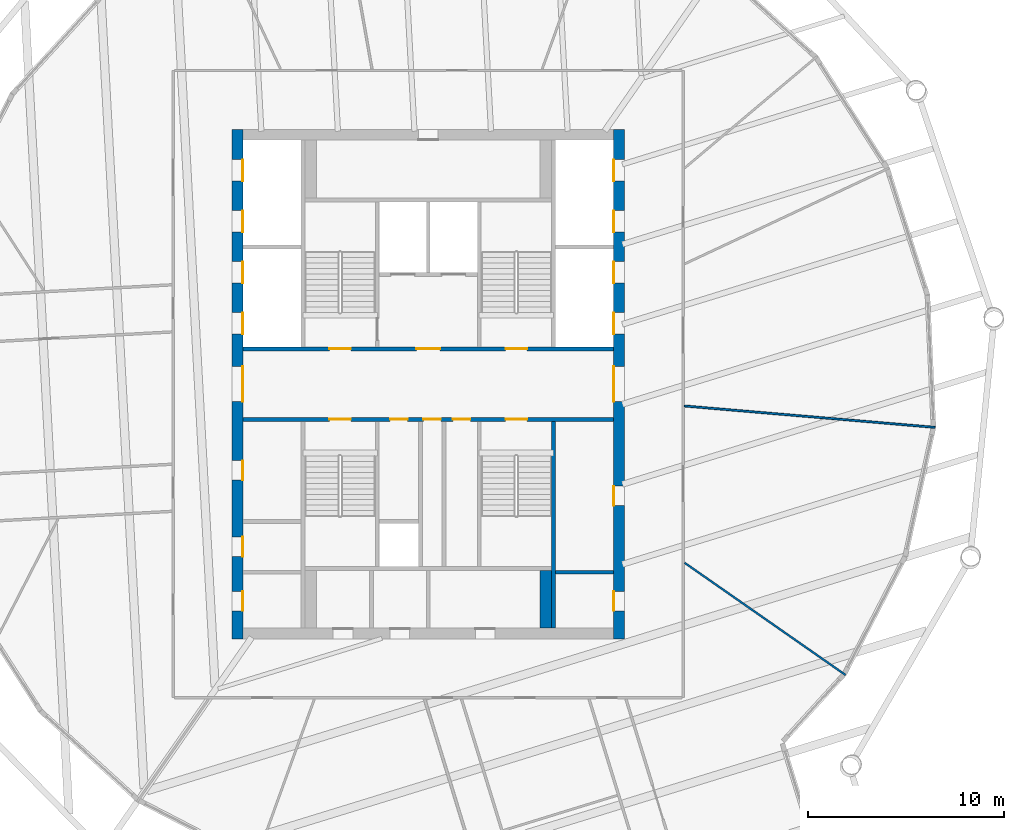
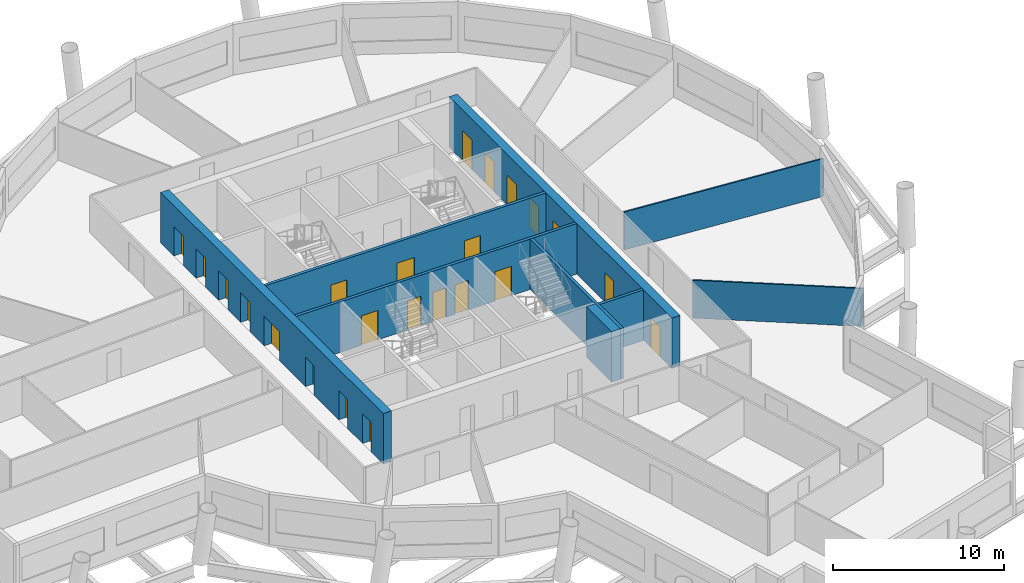
# One storey, part 5 of 11: 23 doors, 9 walls, 23 openings.
"""IFC4 building model written with IfcOpenShell, lengths in metres."""

import ifcopenshell
import ifcopenshell.guid

model = None  # the IFC model being written
_history = None  # IfcOwnerHistory: only IFC2X3 demands one
_inside = {}  # id of a spatial element -> (the spatial element, [elements in it])
_under = {}  # id of a project, library or spatial element -> (it, [spatial elements below it])
_declared = {}  # id of a project -> (the project, [libraries it declares])
_typed = {}  # id of a type object -> (the type object, [elements of that type])
_made_of = {}  # id of a material, layer set ... -> (it, [elements and type objects made of it])


def new_model(schema):
    """Start an empty IFC model of exactly this schema.

    Asked for "IFC4X3", IfcOpenShell would pick the latest addendum, in which some entities
    have other attributes; the version numbers below select the first issue.
    IFC2X3 requires an IfcOwnerHistory on every rooted entity: one is made here for all.
    """
    global model, _history
    if schema == "IFC4X3":
        model = ifcopenshell.file(schema_version=(4, 3, 0, 0))
    else:
        model = ifcopenshell.file(schema=schema)
    _inside.clear()
    _under.clear()
    _declared.clear()
    _typed.clear()
    _made_of.clear()
    _history = None
    if model.schema == "IFC2X3":
        org = make("IfcOrganization", Name="unknown")
        user = make(
            "IfcPersonAndOrganization",
            ThePerson=make("IfcPerson", FamilyName="unknown"),
            TheOrganization=org,
        )
        app = make(
            "IfcApplication",
            ApplicationDeveloper=org,
            Version="unknown",
            ApplicationFullName="unknown",
            ApplicationIdentifier="unknown",
        )
        _history = make(
            "IfcOwnerHistory",
            OwningUser=user,
            OwningApplication=app,
            ChangeAction="ADDED",
            CreationDate=0,
        )
    return model


def make(cls, **values):
    """One entity of the class cls with the attributes given. An attribute that is None is left unset."""
    return model.create_entity(
        cls, **{name: value for name, value in values.items() if value is not None}
    )


def rooted(cls, **values):
    """An entity with a GlobalId (a new one), such as an element, a storey or a relation."""
    return make(cls, GlobalId=ifcopenshell.guid.new(), OwnerHistory=_history, **values)


def si_unit(unit_type, name, prefix=None):
    """IfcSIUnit, for example si_unit("LENGTHUNIT", "METRE", prefix="MILLI")."""
    return make("IfcSIUnit", UnitType=unit_type, Prefix=prefix, Name=name)


def assignment(units):
    """IfcUnitAssignment: the units of a project."""
    return None if units is None else make("IfcUnitAssignment", Units=units)


def point(xyz):
    """IfcCartesianPoint."""
    return None if xyz is None else make("IfcCartesianPoint", Coordinates=xyz)


def direction(xyz):
    """IfcDirection."""
    return None if xyz is None else make("IfcDirection", DirectionRatios=xyz)


def frame(location, z_axis=None, x_axis=None):
    """IfcAxis2Placement3D, a coordinate frame: its origin and axes. An axis left out is left unset."""
    return make(
        "IfcAxis2Placement3D",
        Location=point(location),
        Axis=direction(z_axis),
        RefDirection=direction(x_axis),
    )


def frame_2d(location, x_axis=None):
    """IfcAxis2Placement2D, a coordinate frame in the plane: its origin and x axis."""
    return make(
        "IfcAxis2Placement2D", Location=point(location), RefDirection=direction(x_axis)
    )


def origin():
    """The frame at (0, 0, 0) with its axes left unset."""
    return frame((0.0, 0.0, 0.0))


def place(relative_to, where):
    """IfcLocalPlacement: puts the frame where relative to a parent placement (None: the world)."""
    return make(
        "IfcLocalPlacement", PlacementRelTo=relative_to, RelativePlacement=where
    )


def context(
    kind, dimensions, precision=None, world=None, true_north=None, identifier=None
):
    """IfcGeometricRepresentationContext, for example the 3D "Model" context."""
    return make(
        "IfcGeometricRepresentationContext",
        ContextIdentifier=identifier,
        ContextType=kind,
        CoordinateSpaceDimension=dimensions,
        Precision=precision,
        WorldCoordinateSystem=world,
        TrueNorth=true_north,
    )


def subcontext(parent, identifier, kind, view, scale=None):
    """IfcGeometricRepresentationSubContext, for example "Body" below "Model"."""
    return make(
        "IfcGeometricRepresentationSubContext",
        ContextIdentifier=identifier,
        ContextType=kind,
        ParentContext=parent,
        TargetScale=scale,
        TargetView=view,
    )


def project(units=None, contexts=None):
    """IfcProject with its units and contexts."""
    return rooted(
        "IfcProject",
        Name="project",
        RepresentationContexts=contexts,
        UnitsInContext=assignment(units),
    )


def spatial(cls, under=None, at=None, **own):
    """A site, building, storey or space (cls), placed at a placement, below another one or the project."""
    s = rooted(cls, ObjectPlacement=at, **own)
    if under is not None:
        _under.setdefault(under.id(), (under, []))[1].append(s)
    return s


def profile(cls, at=None, kind="AREA", **sizes):
    """A parametric profile (cls). Its sizes go by their IFC names, for example OverallWidth=200.0."""
    return make(cls, ProfileType=kind, Position=at, **sizes)


def rectangle(**sizes):
    """IfcRectangleProfileDef."""
    return profile("IfcRectangleProfileDef", **sizes)


def extrude(swept, where, along, depth):
    """IfcExtrudedAreaSolid: the profile swept, set in the frame where, extruded along a direction by depth."""
    return make(
        "IfcExtrudedAreaSolid",
        SweptArea=swept,
        Position=where,
        ExtrudedDirection=direction(along),
        Depth=depth,
    )


def shape(context_of_items, identifier, shape_type, items):
    """IfcShapeRepresentation: the items that make up one representation, for example the "Body"."""
    return make(
        "IfcShapeRepresentation",
        ContextOfItems=context_of_items,
        RepresentationIdentifier=identifier,
        RepresentationType=shape_type,
        Items=items,
    )


def material(Name=None, Category=None):
    """IfcMaterial."""
    return make("IfcMaterial", Name=Name, Category=Category)


def layer(
    of_material, thickness, ventilated=None, Name=None, Category=None, Priority=None
):
    """IfcMaterialLayer: one layer of a wall or slab, of a material (None: an air gap)."""
    return make(
        "IfcMaterialLayer",
        Material=of_material,
        LayerThickness=thickness,
        IsVentilated=ventilated,
        Name=Name,
        Category=Category,
        Priority=Priority,
    )


def layer_set(layers, Name=None):
    """IfcMaterialLayerSet."""
    return make("IfcMaterialLayerSet", MaterialLayers=layers, LayerSetName=Name)


def made_of(thing, what):
    """Note that an element or type object is made of a material, layer set ...; save() writes the relation."""
    if what is not None:
        _made_of.setdefault(what.id(), (what, []))[1].append(thing)
    return thing


def type_object(cls, material=None, **own):
    """A type object (cls), such as IfcWallType, which elements share."""
    return made_of(rooted(cls, **own), material)


def element(
    cls,
    number,
    at=None,
    inside=None,
    cuts=None,
    type_object=None,
    material=None,
    context=None,
    identifier="Body",
    shape_type=None,
    held_by="IfcProductDefinitionShape",
    body=None,
    shapes=None,
    **own,
):
    """One element of the class cls, such as IfcWall. Its Tag is "e" and its number.

    at: its placement. inside: the storey or other place that contains it. cuts: it is an
    opening in that element (IfcRelVoidsElement). A single representation is given by context,
    identifier, shape_type and body (its items); several are given by shapes. held_by: the class
    of the entity that holds the representations. save() writes the other relations.
    """
    e = rooted(cls, Tag="e%d" % number, ObjectPlacement=at, **own)
    if body is not None:
        shapes = [shape(context, identifier, shape_type, body)]
    if shapes is not None:
        e.Representation = make(held_by, Representations=shapes)
    if inside is not None:
        _inside.setdefault(inside.id(), (inside, []))[1].append(e)
    if cuts is not None:
        rooted(
            "IfcRelVoidsElement", RelatingBuildingElement=cuts, RelatedOpeningElement=e
        )
    if type_object is not None:
        _typed.setdefault(type_object.id(), (type_object, []))[1].append(e)
    return made_of(e, material)


def fill(opening, filler):
    """IfcRelFillsElement: the door or window that sits in an opening."""
    return rooted(
        "IfcRelFillsElement",
        RelatingOpeningElement=opening,
        RelatedBuildingElement=filler,
    )


def aggregate(whole, parts):
    """IfcRelAggregates: a whole, such as a stair, and the parts it consists of."""
    return rooted("IfcRelAggregates", RelatingObject=whole, RelatedObjects=parts)


def save(model, path):
    """Write the relations noted so far, then the file.

    IfcRelAggregates (storeys below a building ...), IfcRelContainedInSpatialStructure (elements
    in a storey), IfcRelDefinesByType, IfcRelAssociatesMaterial and IfcRelDeclares: one each for
    every whole, place, type object, material and project.
    """
    for whole, parts in _under.values():
        aggregate(whole, parts)
    for where, things in _inside.values():
        rooted(
            "IfcRelContainedInSpatialStructure",
            RelatedElements=things,
            RelatingStructure=where,
        )
    for kind, things in _typed.values():
        rooted("IfcRelDefinesByType", RelatedObjects=things, RelatingType=kind)
    for what, things in _made_of.values():
        rooted("IfcRelAssociatesMaterial", RelatedObjects=things, RelatingMaterial=what)
    for by, libraries in _declared.values():
        rooted("IfcRelDeclares", RelatingContext=by, RelatedDefinitions=libraries)
    model.write(path)


model = new_model("IFC4")

# Units and contexts
model_context = context("Model", 3, precision=1e-05, world=origin(), true_north=direction((0.0, 1.0)))
body_context = subcontext(model_context, "Body", "Model", "MODEL_VIEW")
ifc_project = project(units=[si_unit("LENGTHUNIT", "METRE"), si_unit("AREAUNIT", "SQUARE_METRE"), si_unit("VOLUMEUNIT", "CUBIC_METRE"), si_unit("PLANEANGLEUNIT", "RADIAN"), si_unit("MASSUNIT", "GRAM", prefix="KILO")], contexts=[model_context])

# Site, building, storey
site_placement = place(None, origin())
site = spatial("IfcSite", under=ifc_project, at=site_placement, CompositionType="ELEMENT")
building_placement = place(site_placement, origin())
building = spatial("IfcBuilding", under=site, at=building_placement, Name="Tarsis Ring Headquarters", CompositionType="ELEMENT")
storey_placement = place(building_placement, frame((0.0, 0.0, 298.10009765625)))
storey = spatial("IfcBuildingStorey", under=building, at=storey_placement, Name="L70", CompositionType="ELEMENT", Elevation=298.10009765625)

# Wall
ifc_material_1 = material(Name="Blockwork", Category="masonry")
ifc_layer_1 = layer(ifc_material_1, 0.199951171875)
ifc_layer_set_1 = layer_set([ifc_layer_1], Name="Core blockwork wall 200")
wall_type_1 = type_object("IfcWallType", Name="Core blockwork wall 200", PredefinedType="PARTITIONING", material=ifc_layer_set_1)
wall_1_placement = place(storey_placement, frame((6.5, -9.60009765625, 0.0), z_axis=(0.0, 0.0, 1.0), x_axis=(1.0, 0.0, 0.0)))
element("IfcWall", 1, at=wall_1_placement, inside=storey, type_object=wall_type_1, Name="Core partition ED1", PredefinedType="PARTITIONING", context=body_context, shape_type="SweptSolid", body=[
    extrude(rectangle(XDim=2.949951171875, YDim=0.199951171875, at=frame_2d((1.47509765625, 0.0))), origin(), (0.0, 0.0, 1.0), 3.599853515625),
])

# Wall, openings, doors
ifc_material_2 = material(Name="Concrete C50/60", Category="concrete")
ifc_layer_2 = layer(ifc_material_2, 0.550048828125)
ifc_layer_set_2 = layer_set([ifc_layer_2], Name="Core wall 550 C50/60")
wall_type_2 = type_object("IfcWallType", Name="Core wall 550 C50/60", PredefinedType="SHEAR", material=ifc_layer_set_2)
wall_2_placement = place(storey_placement, frame((-9.72509765625, -13.0, 0.0), z_axis=(0.0, 0.0, 1.0), x_axis=(0.0, 1.0, 0.0)))
wall_2 = element("IfcWall", 2, at=wall_2_placement, inside=storey, type_object=wall_type_2, Name="Core wall OW", PredefinedType="SHEAR", context=body_context, shape_type="SweptSolid", body=[
    extrude(rectangle(XDim=26.0, YDim=0.550048828125, at=frame_2d((13.0, 0.0))), origin(), (0.0, 0.0, 1.0), 3.599853515625),
])
opening_1_placement = place(wall_2_placement, frame((1.425048828125, 0.0, 0.0)))
opening_1 = element("IfcOpeningElement", 3, at=opening_1_placement, cuts=wall_2, Name="Opening L70-C01", PredefinedType="OPENING", context=body_context, shape_type="SweptSolid", body=[
    extrude(rectangle(XDim=1.0, YDim=2.10009765625, at=frame_2d((0.5, 1.050048828125))), frame((0.0, 0.284912109375, 0.0), z_axis=(0.0, -1.0, 0.0), x_axis=(1.0, 0.0, 0.0)), (0.0, 0.0, 1.0), 0.570068359375),
])
opening_2_placement = place(wall_2_placement, frame((4.199951171875, 0.0, 0.0)))
opening_2 = element("IfcOpeningElement", 4, at=opening_2_placement, cuts=wall_2, Name="Opening L70-C02", PredefinedType="OPENING", context=body_context, shape_type="SweptSolid", body=[
    extrude(rectangle(XDim=1.0, YDim=2.10009765625, at=frame_2d((0.5, 1.050048828125))), frame((0.0, 0.284912109375, 0.0), z_axis=(0.0, -1.0, 0.0), x_axis=(1.0, 0.0, 0.0)), (0.0, 0.0, 1.0), 0.570068359375),
])
opening_3_placement = place(wall_2_placement, frame((8.10009765625, 0.0, 0.0)))
opening_3 = element("IfcOpeningElement", 5, at=opening_3_placement, cuts=wall_2, Name="Opening L70-C03", PredefinedType="OPENING", context=body_context, shape_type="SweptSolid", body=[
    extrude(rectangle(XDim=1.0, YDim=2.10009765625, at=frame_2d((0.5, 1.050048828125))), frame((0.0, 0.284912109375, 0.0), z_axis=(0.0, -1.0, 0.0), x_axis=(1.0, 0.0, 0.0)), (0.0, 0.0, 1.0), 0.570068359375),
])
opening_4_placement = place(wall_2_placement, frame((12.10009765625, 0.0, 0.0)))
opening_4 = element("IfcOpeningElement", 6, at=opening_4_placement, cuts=wall_2, Name="Opening L70-C04", PredefinedType="OPENING", context=body_context, shape_type="SweptSolid", body=[
    extrude(rectangle(XDim=1.800048828125, YDim=2.10009765625, at=frame_2d((0.89990234375, 1.050048828125))), frame((0.0, 0.284912109375, 0.0), z_axis=(0.0, -1.0, 0.0), x_axis=(1.0, 0.0, 0.0)), (0.0, 0.0, 1.0), 0.570068359375),
])
opening_5_placement = place(wall_2_placement, frame((15.550048828125, 0.0, 0.0)))
opening_5 = element("IfcOpeningElement", 7, at=opening_5_placement, cuts=wall_2, Name="Opening LD-HR1", PredefinedType="OPENING", context=body_context, shape_type="SweptSolid", body=[
    extrude(rectangle(XDim=1.10009765625, YDim=2.10009765625, at=frame_2d((0.550048828125, 1.050048828125))), frame((0.0, 0.284912109375, 0.0), z_axis=(0.0, -1.0, 0.0), x_axis=(1.0, 0.0, 0.0)), (0.0, 0.0, 1.0), 0.570068359375),
])
opening_6_placement = place(wall_2_placement, frame((18.14990234375, 0.0, 0.0)))
opening_6 = element("IfcOpeningElement", 8, at=opening_6_placement, cuts=wall_2, Name="Opening LD-HR2", PredefinedType="OPENING", context=body_context, shape_type="SweptSolid", body=[
    extrude(rectangle(XDim=1.10009765625, YDim=2.10009765625, at=frame_2d((0.550048828125, 1.050048828125))), frame((0.0, 0.284912109375, 0.0), z_axis=(0.0, -1.0, 0.0), x_axis=(1.0, 0.0, 0.0)), (0.0, 0.0, 1.0), 0.570068359375),
])
opening_7_placement = place(wall_2_placement, frame((20.75, 0.0, 0.0)))
opening_7 = element("IfcOpeningElement", 9, at=opening_7_placement, cuts=wall_2, Name="Opening LD-HR3", PredefinedType="OPENING", context=body_context, shape_type="SweptSolid", body=[
    extrude(rectangle(XDim=1.10009765625, YDim=2.10009765625, at=frame_2d((0.550048828125, 1.050048828125))), frame((0.0, 0.284912109375, 0.0), z_axis=(0.0, -1.0, 0.0), x_axis=(1.0, 0.0, 0.0)), (0.0, 0.0, 1.0), 0.570068359375),
])
opening_8_placement = place(wall_2_placement, frame((23.35009765625, 0.0, 0.0)))
opening_8 = element("IfcOpeningElement", 10, at=opening_8_placement, cuts=wall_2, Name="Opening LD-HR4", PredefinedType="OPENING", context=body_context, shape_type="SweptSolid", body=[
    extrude(rectangle(XDim=1.10009765625, YDim=2.10009765625, at=frame_2d((0.550048828125, 1.050048828125))), frame((0.0, 0.284912109375, 0.0), z_axis=(0.0, -1.0, 0.0), x_axis=(1.0, 0.0, 0.0)), (0.0, 0.0, 1.0), 0.570068359375),
])
ifc_material_3 = material(Name="Steel S355", Category="steel")
door_type_1 = type_object("IfcDoorType", Name="Core entry door 1800x2100", OperationType="DOUBLE_DOOR_SINGLE_SWING", PredefinedType="DOOR", material=ifc_material_3)
door_1_placement = place(opening_4_placement, origin())
door_1 = element("IfcDoor", 11, at=door_1_placement, inside=storey, type_object=door_type_1, Name="Core entry door L70", OperationType="DOUBLE_DOOR_SINGLE_SWING", OverallHeight=2.10009765625, OverallWidth=1.800048828125, PredefinedType="DOOR", context=body_context, shape_type="SweptSolid", body=[
    extrude(rectangle(XDim=1.800048828125, YDim=2.10009765625, at=frame_2d((0.89990234375, 1.050048828125))), frame((0.0, -0.22509765625, 0.0), z_axis=(0.0, -1.0, 0.0), x_axis=(1.0, 0.0, 0.0)), (0.0, 0.0, 1.0), 0.050048828125),
])
fill(opening_4, door_1)
door_type_2 = type_object("IfcDoorType", Name="Core room door 1000x2100", OperationType="SINGLE_SWING_LEFT", PredefinedType="DOOR", material=ifc_material_3)
door_2_placement = place(opening_1_placement, origin())
door_2 = element("IfcDoor", 12, at=door_2_placement, inside=storey, type_object=door_type_2, Name="Core room door L70", OperationType="SINGLE_SWING_LEFT", OverallHeight=2.10009765625, OverallWidth=1.0, PredefinedType="DOOR", context=body_context, shape_type="SweptSolid", body=[
    extrude(rectangle(XDim=1.0, YDim=2.10009765625, at=frame_2d((0.5, 1.050048828125))), frame((0.0, -0.22509765625, 0.0), z_axis=(0.0, -1.0, 0.0), x_axis=(1.0, 0.0, 0.0)), (0.0, 0.0, 1.0), 0.050048828125),
])
fill(opening_1, door_2)
door_3_placement = place(opening_2_placement, origin())
door_3 = element("IfcDoor", 13, at=door_3_placement, inside=storey, type_object=door_type_2, Name="Core room door L70", OperationType="SINGLE_SWING_LEFT", OverallHeight=2.10009765625, OverallWidth=1.0, PredefinedType="DOOR", context=body_context, shape_type="SweptSolid", body=[
    extrude(rectangle(XDim=1.0, YDim=2.10009765625, at=frame_2d((0.5, 1.050048828125))), frame((0.0, -0.22509765625, 0.0), z_axis=(0.0, -1.0, 0.0), x_axis=(1.0, 0.0, 0.0)), (0.0, 0.0, 1.0), 0.050048828125),
])
fill(opening_2, door_3)
door_4_placement = place(opening_3_placement, origin())
door_4 = element("IfcDoor", 14, at=door_4_placement, inside=storey, type_object=door_type_2, Name="Core room door L70", OperationType="SINGLE_SWING_LEFT", OverallHeight=2.10009765625, OverallWidth=1.0, PredefinedType="DOOR", context=body_context, shape_type="SweptSolid", body=[
    extrude(rectangle(XDim=1.0, YDim=2.10009765625, at=frame_2d((0.5, 1.050048828125))), frame((0.0, -0.22509765625, 0.0), z_axis=(0.0, -1.0, 0.0), x_axis=(1.0, 0.0, 0.0)), (0.0, 0.0, 1.0), 0.050048828125),
])
fill(opening_3, door_4)
door_type_3 = type_object("IfcDoorType", Name="Landing door 1100x2100", OperationType="SLIDING_TO_LEFT", PredefinedType="DOOR", material=ifc_material_3)
door_5_placement = place(opening_5_placement, origin())
door_5 = element("IfcDoor", 15, at=door_5_placement, inside=storey, type_object=door_type_3, Name="Landing door HR1 L70", OperationType="SLIDING_TO_LEFT", OverallHeight=2.10009765625, OverallWidth=1.10009765625, PredefinedType="DOOR", context=body_context, shape_type="SweptSolid", body=[
    extrude(rectangle(XDim=1.10009765625, YDim=2.10009765625, at=frame_2d((0.550048828125, 1.050048828125))), frame((0.0, -0.22509765625, 0.0), z_axis=(0.0, -1.0, 0.0), x_axis=(1.0, 0.0, 0.0)), (0.0, 0.0, 1.0), 0.050048828125),
])
fill(opening_5, door_5)
door_6_placement = place(opening_6_placement, origin())
door_6 = element("IfcDoor", 16, at=door_6_placement, inside=storey, type_object=door_type_3, Name="Landing door HR2 L70", OperationType="SLIDING_TO_LEFT", OverallHeight=2.10009765625, OverallWidth=1.10009765625, PredefinedType="DOOR", context=body_context, shape_type="SweptSolid", body=[
    extrude(rectangle(XDim=1.10009765625, YDim=2.10009765625, at=frame_2d((0.550048828125, 1.050048828125))), frame((0.0, -0.22509765625, 0.0), z_axis=(0.0, -1.0, 0.0), x_axis=(1.0, 0.0, 0.0)), (0.0, 0.0, 1.0), 0.050048828125),
])
fill(opening_6, door_6)
door_7_placement = place(opening_7_placement, origin())
door_7 = element("IfcDoor", 17, at=door_7_placement, inside=storey, type_object=door_type_3, Name="Landing door HR3 L70", OperationType="SLIDING_TO_LEFT", OverallHeight=2.10009765625, OverallWidth=1.10009765625, PredefinedType="DOOR", context=body_context, shape_type="SweptSolid", body=[
    extrude(rectangle(XDim=1.10009765625, YDim=2.10009765625, at=frame_2d((0.550048828125, 1.050048828125))), frame((0.0, -0.22509765625, 0.0), z_axis=(0.0, -1.0, 0.0), x_axis=(1.0, 0.0, 0.0)), (0.0, 0.0, 1.0), 0.050048828125),
])
fill(opening_7, door_7)
door_8_placement = place(opening_8_placement, origin())
door_8 = element("IfcDoor", 18, at=door_8_placement, inside=storey, type_object=door_type_3, Name="Landing door HR4 L70", OperationType="SLIDING_TO_LEFT", OverallHeight=2.10009765625, OverallWidth=1.10009765625, PredefinedType="DOOR", context=body_context, shape_type="SweptSolid", body=[
    extrude(rectangle(XDim=1.10009765625, YDim=2.10009765625, at=frame_2d((0.550048828125, 1.050048828125))), frame((0.0, -0.22509765625, 0.0), z_axis=(0.0, -1.0, 0.0), x_axis=(1.0, 0.0, 0.0)), (0.0, 0.0, 1.0), 0.050048828125),
])
fill(opening_8, door_8)

wall_3_placement = place(storey_placement, frame((9.72509765625, -13.0, 0.0), z_axis=(0.0, 0.0, 1.0), x_axis=(0.0, 1.0, 0.0)))
wall_3 = element("IfcWall", 19, at=wall_3_placement, inside=storey, type_object=wall_type_2, Name="Core wall OE", PredefinedType="SHEAR", context=body_context, shape_type="SweptSolid", body=[
    extrude(rectangle(XDim=26.0, YDim=0.550048828125, at=frame_2d((13.0, 0.0))), origin(), (0.0, 0.0, 1.0), 3.599853515625),
])
opening_9_placement = place(wall_3_placement, frame((1.425048828125, 0.0, 0.0)))
opening_9 = element("IfcOpeningElement", 20, at=opening_9_placement, cuts=wall_3, Name="Opening L70-C09", PredefinedType="OPENING", context=body_context, shape_type="SweptSolid", body=[
    extrude(rectangle(XDim=1.0, YDim=2.10009765625, at=frame_2d((0.5, 1.050048828125))), frame((0.0, 0.284912109375, 0.0), z_axis=(0.0, -1.0, 0.0), x_axis=(1.0, 0.0, 0.0)), (0.0, 0.0, 1.0), 0.570068359375),
])
opening_10_placement = place(wall_3_placement, frame((6.800048828125, 0.0, 0.0)))
opening_10 = element("IfcOpeningElement", 21, at=opening_10_placement, cuts=wall_3, Name="Opening L70-C10", PredefinedType="OPENING", context=body_context, shape_type="SweptSolid", body=[
    extrude(rectangle(XDim=1.0, YDim=2.10009765625, at=frame_2d((0.5, 1.050048828125))), frame((0.0, 0.284912109375, 0.0), z_axis=(0.0, -1.0, 0.0), x_axis=(1.0, 0.0, 0.0)), (0.0, 0.0, 1.0), 0.570068359375),
])
opening_11_placement = place(wall_3_placement, frame((12.10009765625, 0.0, 0.0)))
opening_11 = element("IfcOpeningElement", 22, at=opening_11_placement, cuts=wall_3, Name="Opening L70-C11", PredefinedType="OPENING", context=body_context, shape_type="SweptSolid", body=[
    extrude(rectangle(XDim=1.800048828125, YDim=2.10009765625, at=frame_2d((0.89990234375, 1.050048828125))), frame((0.0, 0.284912109375, 0.0), z_axis=(0.0, -1.0, 0.0), x_axis=(1.0, 0.0, 0.0)), (0.0, 0.0, 1.0), 0.570068359375),
])
opening_12_placement = place(wall_3_placement, frame((15.550048828125, 0.0, 0.0)))
opening_12 = element("IfcOpeningElement", 23, at=opening_12_placement, cuts=wall_3, Name="Opening LD-HR5", PredefinedType="OPENING", context=body_context, shape_type="SweptSolid", body=[
    extrude(rectangle(XDim=1.10009765625, YDim=2.10009765625, at=frame_2d((0.550048828125, 1.050048828125))), frame((0.0, 0.284912109375, 0.0), z_axis=(0.0, -1.0, 0.0), x_axis=(1.0, 0.0, 0.0)), (0.0, 0.0, 1.0), 0.570068359375),
])
opening_13_placement = place(wall_3_placement, frame((18.14990234375, 0.0, 0.0)))
opening_13 = element("IfcOpeningElement", 24, at=opening_13_placement, cuts=wall_3, Name="Opening LD-HR6", PredefinedType="OPENING", context=body_context, shape_type="SweptSolid", body=[
    extrude(rectangle(XDim=1.10009765625, YDim=2.10009765625, at=frame_2d((0.550048828125, 1.050048828125))), frame((0.0, 0.284912109375, 0.0), z_axis=(0.0, -1.0, 0.0), x_axis=(1.0, 0.0, 0.0)), (0.0, 0.0, 1.0), 0.570068359375),
])
opening_14_placement = place(wall_3_placement, frame((20.75, 0.0, 0.0)))
opening_14 = element("IfcOpeningElement", 25, at=opening_14_placement, cuts=wall_3, Name="Opening LD-HR7", PredefinedType="OPENING", context=body_context, shape_type="SweptSolid", body=[
    extrude(rectangle(XDim=1.10009765625, YDim=2.10009765625, at=frame_2d((0.550048828125, 1.050048828125))), frame((0.0, 0.284912109375, 0.0), z_axis=(0.0, -1.0, 0.0), x_axis=(1.0, 0.0, 0.0)), (0.0, 0.0, 1.0), 0.570068359375),
])
opening_15_placement = place(wall_3_placement, frame((23.35009765625, 0.0, 0.0)))
opening_15 = element("IfcOpeningElement", 26, at=opening_15_placement, cuts=wall_3, Name="Opening LD-HR8", PredefinedType="OPENING", context=body_context, shape_type="SweptSolid", body=[
    extrude(rectangle(XDim=1.10009765625, YDim=2.10009765625, at=frame_2d((0.550048828125, 1.050048828125))), frame((0.0, 0.284912109375, 0.0), z_axis=(0.0, -1.0, 0.0), x_axis=(1.0, 0.0, 0.0)), (0.0, 0.0, 1.0), 0.570068359375),
])
door_9_placement = place(opening_11_placement, origin())
door_9 = element("IfcDoor", 27, at=door_9_placement, inside=storey, type_object=door_type_1, Name="Core entry door L70", OperationType="DOUBLE_DOOR_SINGLE_SWING", OverallHeight=2.10009765625, OverallWidth=1.800048828125, PredefinedType="DOOR", context=body_context, shape_type="SweptSolid", body=[
    extrude(rectangle(XDim=1.800048828125, YDim=2.10009765625, at=frame_2d((0.89990234375, 1.050048828125))), frame((0.0, 0.27490234375, 0.0), z_axis=(0.0, -1.0, 0.0), x_axis=(1.0, 0.0, 0.0)), (0.0, 0.0, 1.0), 0.050048828125),
])
fill(opening_11, door_9)
door_10_placement = place(opening_9_placement, origin())
door_10 = element("IfcDoor", 28, at=door_10_placement, inside=storey, type_object=door_type_2, Name="Core room door L70", OperationType="SINGLE_SWING_LEFT", OverallHeight=2.10009765625, OverallWidth=1.0, PredefinedType="DOOR", context=body_context, shape_type="SweptSolid", body=[
    extrude(rectangle(XDim=1.0, YDim=2.10009765625, at=frame_2d((0.5, 1.050048828125))), frame((0.0, 0.27490234375, 0.0), z_axis=(0.0, -1.0, 0.0), x_axis=(1.0, 0.0, 0.0)), (0.0, 0.0, 1.0), 0.050048828125),
])
fill(opening_9, door_10)
door_11_placement = place(opening_10_placement, origin())
door_11 = element("IfcDoor", 29, at=door_11_placement, inside=storey, type_object=door_type_2, Name="Core room door L70", OperationType="SINGLE_SWING_LEFT", OverallHeight=2.10009765625, OverallWidth=1.0, PredefinedType="DOOR", context=body_context, shape_type="SweptSolid", body=[
    extrude(rectangle(XDim=1.0, YDim=2.10009765625, at=frame_2d((0.5, 1.050048828125))), frame((0.0, 0.27490234375, 0.0), z_axis=(0.0, -1.0, 0.0), x_axis=(1.0, 0.0, 0.0)), (0.0, 0.0, 1.0), 0.050048828125),
])
fill(opening_10, door_11)
door_12_placement = place(opening_12_placement, origin())
door_12 = element("IfcDoor", 30, at=door_12_placement, inside=storey, type_object=door_type_3, Name="Landing door HR5 L70", OperationType="SLIDING_TO_LEFT", OverallHeight=2.10009765625, OverallWidth=1.10009765625, PredefinedType="DOOR", context=body_context, shape_type="SweptSolid", body=[
    extrude(rectangle(XDim=1.10009765625, YDim=2.10009765625, at=frame_2d((0.550048828125, 1.050048828125))), frame((0.0, 0.27490234375, 0.0), z_axis=(0.0, -1.0, 0.0), x_axis=(1.0, 0.0, 0.0)), (0.0, 0.0, 1.0), 0.050048828125),
])
fill(opening_12, door_12)
door_13_placement = place(opening_13_placement, origin())
door_13 = element("IfcDoor", 31, at=door_13_placement, inside=storey, type_object=door_type_3, Name="Landing door HR6 L70", OperationType="SLIDING_TO_LEFT", OverallHeight=2.10009765625, OverallWidth=1.10009765625, PredefinedType="DOOR", context=body_context, shape_type="SweptSolid", body=[
    extrude(rectangle(XDim=1.10009765625, YDim=2.10009765625, at=frame_2d((0.550048828125, 1.050048828125))), frame((0.0, 0.27490234375, 0.0), z_axis=(0.0, -1.0, 0.0), x_axis=(1.0, 0.0, 0.0)), (0.0, 0.0, 1.0), 0.050048828125),
])
fill(opening_13, door_13)
door_14_placement = place(opening_14_placement, origin())
door_14 = element("IfcDoor", 32, at=door_14_placement, inside=storey, type_object=door_type_3, Name="Landing door HR7 L70", OperationType="SLIDING_TO_LEFT", OverallHeight=2.10009765625, OverallWidth=1.10009765625, PredefinedType="DOOR", context=body_context, shape_type="SweptSolid", body=[
    extrude(rectangle(XDim=1.10009765625, YDim=2.10009765625, at=frame_2d((0.550048828125, 1.050048828125))), frame((0.0, 0.27490234375, 0.0), z_axis=(0.0, -1.0, 0.0), x_axis=(1.0, 0.0, 0.0)), (0.0, 0.0, 1.0), 0.050048828125),
])
fill(opening_14, door_14)
door_15_placement = place(opening_15_placement, origin())
door_15 = element("IfcDoor", 33, at=door_15_placement, inside=storey, type_object=door_type_3, Name="Landing door HR8 L70", OperationType="SLIDING_TO_LEFT", OverallHeight=2.10009765625, OverallWidth=1.10009765625, PredefinedType="DOOR", context=body_context, shape_type="SweptSolid", body=[
    extrude(rectangle(XDim=1.10009765625, YDim=2.10009765625, at=frame_2d((0.550048828125, 1.050048828125))), frame((0.0, 0.27490234375, 0.0), z_axis=(0.0, -1.0, 0.0), x_axis=(1.0, 0.0, 0.0)), (0.0, 0.0, 1.0), 0.050048828125),
])
fill(opening_15, door_15)

# Walls
ifc_material_4 = material(Name="Gypsum board on steel studs", Category="steel")
ifc_layer_3 = layer(ifc_material_4, 0.10009765625)
ifc_layer_set_3 = layer_set([ifc_layer_3], Name="FL partition 100 unrated")
wall_type_3 = type_object("IfcWallType", Name="FL partition 100 unrated", PredefinedType="PARTITIONING", material=ifc_layer_set_3)
wall_4_placement = place(storey_placement, frame((13.069580078125, -1.115966796875, 0.0), z_axis=(0.0, 0.0, 1.0), x_axis=(0.996374674382, -0.085073546123, 0.0)))
element("IfcWall", 34, at=wall_4_placement, inside=storey, type_object=wall_type_3, Name="Partition PW3", PredefinedType="PARTITIONING", context=body_context, shape_type="SweptSolid", body=[
    extrude(rectangle(XDim=12.830810546875, YDim=0.10009765625, at=frame_2d((6.41552734375, 0.0))), origin(), (0.0, 0.0, 1.0), 2.699951171875),
])
wall_5_placement = place(storey_placement, frame((13.08203125, -9.119384765625, 0.0), z_axis=(0.0, 0.0, 1.0), x_axis=(0.820359993147, -0.571847428641, 0.0)))
element("IfcWall", 35, at=wall_5_placement, inside=storey, type_object=wall_type_3, Name="Partition PW3", PredefinedType="PARTITIONING", context=body_context, shape_type="SweptSolid", body=[
    extrude(rectangle(XDim=10.0009765625, YDim=0.10009765625, at=frame_2d((5.00048828125, 0.0))), origin(), (0.0, 0.0, 1.0), 2.699951171875),
])
ifc_material_5 = material(Name="Concrete C32/40", Category="concrete")
ifc_layer_4 = layer(ifc_material_5, 0.60009765625)
ifc_layer_set_4 = layer_set([ifc_layer_4], Name="Shaft end wall 600 C32/40")
wall_type_4 = type_object("IfcWallType", Name="Shaft end wall 600 C32/40", PredefinedType="SOLIDWALL", material=ifc_layer_set_4)
wall_6_placement = place(storey_placement, frame((6.0, -12.449951171875, 0.0), z_axis=(0.0, 0.0, 1.0), x_axis=(0.0, 1.0, 0.0)))
element("IfcWall", 36, at=wall_6_placement, inside=storey, type_object=wall_type_4, Name="Core shaft wall SNE2", PredefinedType="SOLIDWALL", context=body_context, shape_type="SweptSolid", body=[
    extrude(rectangle(XDim=2.949951171875, YDim=0.60009765625, at=frame_2d((1.47509765625, 0.0))), origin(), (0.0, 0.0, 1.0), 3.599853515625),
])

# Wall, openings, doors
ifc_layer_5 = layer(ifc_material_5, 0.199951171875)
ifc_layer_set_5 = layer_set([ifc_layer_5], Name="Shaft wall 200 C32/40")
wall_type_5 = type_object("IfcWallType", Name="Shaft wall 200 C32/40", PredefinedType="SOLIDWALL", material=ifc_layer_set_5)
wall_7_placement = place(storey_placement, frame((-9.449951171875, 1.800048828125, 0.0), z_axis=(0.0, 0.0, 1.0), x_axis=(1.0, 0.0, 0.0)))
wall_7 = element("IfcWall", 37, at=wall_7_placement, inside=storey, type_object=wall_type_5, Name="Core shaft wall CN", PredefinedType="SOLIDWALL", context=body_context, shape_type="SweptSolid", body=[
    extrude(rectangle(XDim=18.89990234375, YDim=0.199951171875, at=frame_2d((9.449951171875, 0.0))), origin(), (0.0, 0.0, 1.0), 3.599853515625),
])
opening_16_placement = place(wall_7_placement, frame((4.39990234375, 0.0, 0.0)))
opening_16 = element("IfcOpeningElement", 38, at=opening_16_placement, cuts=wall_7, Name="Opening L70-C20", PredefinedType="OPENING", context=body_context, shape_type="SweptSolid", body=[
    extrude(rectangle(XDim=1.10009765625, YDim=2.10009765625, at=frame_2d((0.550048828125, 1.050048828125))), frame((0.0, 0.10986328125, 0.0), z_axis=(0.0, -1.0, 0.0), x_axis=(1.0, 0.0, 0.0)), (0.0, 0.0, 1.0), 0.219970703125),
])
opening_17_placement = place(wall_7_placement, frame((8.85009765625, 0.0, 0.0)))
opening_17 = element("IfcOpeningElement", 39, at=opening_17_placement, cuts=wall_7, Name="Opening L70-C21", PredefinedType="OPENING", context=body_context, shape_type="SweptSolid", body=[
    extrude(rectangle(XDim=1.199951171875, YDim=2.10009765625, at=frame_2d((0.60009765625, 1.050048828125))), frame((0.0, 0.10986328125, 0.0), z_axis=(0.0, -1.0, 0.0), x_axis=(1.0, 0.0, 0.0)), (0.0, 0.0, 1.0), 0.219970703125),
])
opening_18_placement = place(wall_7_placement, frame((13.39990234375, 0.0, 0.0)))
opening_18 = element("IfcOpeningElement", 40, at=opening_18_placement, cuts=wall_7, Name="Opening L70-C22", PredefinedType="OPENING", context=body_context, shape_type="SweptSolid", body=[
    extrude(rectangle(XDim=1.10009765625, YDim=2.10009765625, at=frame_2d((0.550048828125, 1.050048828125))), frame((0.0, 0.10986328125, 0.0), z_axis=(0.0, -1.0, 0.0), x_axis=(1.0, 0.0, 0.0)), (0.0, 0.0, 1.0), 0.219970703125),
])
door_type_4 = type_object("IfcDoorType", Name="Firefighting lobby door 1200x2100", OperationType="DOUBLE_DOOR_SINGLE_SWING", PredefinedType="DOOR", material=ifc_material_3)
door_16_placement = place(opening_17_placement, origin())
door_16 = element("IfcDoor", 41, at=door_16_placement, inside=storey, type_object=door_type_4, Name="Firefighting lobby door L70", OperationType="DOUBLE_DOOR_SINGLE_SWING", OverallHeight=2.10009765625, OverallWidth=1.199951171875, PredefinedType="DOOR", context=body_context, shape_type="SweptSolid", body=[
    extrude(rectangle(XDim=1.199951171875, YDim=2.10009765625, at=frame_2d((0.60009765625, 1.050048828125))), frame((0.0, 0.02490234375, 0.0), z_axis=(0.0, -1.0, 0.0), x_axis=(1.0, 0.0, 0.0)), (0.0, 0.0, 1.0), 0.050048828125),
])
fill(opening_17, door_16)
door_type_5 = type_object("IfcDoorType", Name="Stair door 1100x2100", OperationType="SINGLE_SWING_LEFT", PredefinedType="DOOR", material=ifc_material_3)
door_17_placement = place(opening_16_placement, origin())
door_17 = element("IfcDoor", 42, at=door_17_placement, inside=storey, type_object=door_type_5, Name="Stair door L70", OperationType="SINGLE_SWING_LEFT", OverallHeight=2.10009765625, OverallWidth=1.10009765625, PredefinedType="DOOR", context=body_context, shape_type="SweptSolid", body=[
    extrude(rectangle(XDim=1.10009765625, YDim=2.10009765625, at=frame_2d((0.550048828125, 1.050048828125))), frame((0.0, 0.02490234375, 0.0), z_axis=(0.0, -1.0, 0.0), x_axis=(1.0, 0.0, 0.0)), (0.0, 0.0, 1.0), 0.050048828125),
])
fill(opening_16, door_17)
door_18_placement = place(opening_18_placement, origin())
door_18 = element("IfcDoor", 43, at=door_18_placement, inside=storey, type_object=door_type_5, Name="Stair door L70", OperationType="SINGLE_SWING_LEFT", OverallHeight=2.10009765625, OverallWidth=1.10009765625, PredefinedType="DOOR", context=body_context, shape_type="SweptSolid", body=[
    extrude(rectangle(XDim=1.10009765625, YDim=2.10009765625, at=frame_2d((0.550048828125, 1.050048828125))), frame((0.0, 0.02490234375, 0.0), z_axis=(0.0, -1.0, 0.0), x_axis=(1.0, 0.0, 0.0)), (0.0, 0.0, 1.0), 0.050048828125),
])
fill(opening_18, door_18)

wall_8_placement = place(storey_placement, frame((-9.449951171875, -1.800048828125, 0.0), z_axis=(0.0, 0.0, 1.0), x_axis=(1.0, 0.0, 0.0)))
wall_8 = element("IfcWall", 44, at=wall_8_placement, inside=storey, type_object=wall_type_5, Name="Core shaft wall CS", PredefinedType="SOLIDWALL", context=body_context, shape_type="SweptSolid", body=[
    extrude(rectangle(XDim=18.89990234375, YDim=0.199951171875, at=frame_2d((9.449951171875, 0.0))), origin(), (0.0, 0.0, 1.0), 3.599853515625),
])
opening_19_placement = place(wall_8_placement, frame((4.39990234375, 0.0, 0.0)))
opening_19 = element("IfcOpeningElement", 45, at=opening_19_placement, cuts=wall_8, Name="Opening L70-C23", PredefinedType="OPENING", context=body_context, shape_type="SweptSolid", body=[
    extrude(rectangle(XDim=1.10009765625, YDim=2.10009765625, at=frame_2d((0.550048828125, 1.050048828125))), frame((0.0, 0.10986328125, 0.0), z_axis=(0.0, -1.0, 0.0), x_axis=(1.0, 0.0, 0.0)), (0.0, 0.0, 1.0), 0.219970703125),
])
opening_20_placement = place(wall_8_placement, frame((7.5, 0.0, 0.0)))
opening_20 = element("IfcOpeningElement", 46, at=opening_20_placement, cuts=wall_8, Name="Opening L70-C24", PredefinedType="OPENING", context=body_context, shape_type="SweptSolid", body=[
    extrude(rectangle(XDim=0.89990234375, YDim=2.10009765625, at=frame_2d((0.449951171875, 1.050048828125))), frame((0.0, 0.10986328125, 0.0), z_axis=(0.0, -1.0, 0.0), x_axis=(1.0, 0.0, 0.0)), (0.0, 0.0, 1.0), 0.219970703125),
])
opening_21_placement = place(wall_8_placement, frame((9.199951171875, 0.0, 0.0)))
opening_21 = element("IfcOpeningElement", 47, at=opening_21_placement, cuts=wall_8, Name="Opening L70-C25", PredefinedType="OPENING", context=body_context, shape_type="SweptSolid", body=[
    extrude(rectangle(XDim=0.89990234375, YDim=2.10009765625, at=frame_2d((0.449951171875, 1.050048828125))), frame((0.0, 0.10986328125, 0.0), z_axis=(0.0, -1.0, 0.0), x_axis=(1.0, 0.0, 0.0)), (0.0, 0.0, 1.0), 0.219970703125),
])
opening_22_placement = place(wall_8_placement, frame((10.699951171875, 0.0, 0.0)))
opening_22 = element("IfcOpeningElement", 48, at=opening_22_placement, cuts=wall_8, Name="Opening L70-C26", PredefinedType="OPENING", context=body_context, shape_type="SweptSolid", body=[
    extrude(rectangle(XDim=0.89990234375, YDim=2.10009765625, at=frame_2d((0.449951171875, 1.050048828125))), frame((0.0, 0.10986328125, 0.0), z_axis=(0.0, -1.0, 0.0), x_axis=(1.0, 0.0, 0.0)), (0.0, 0.0, 1.0), 0.219970703125),
])
opening_23_placement = place(wall_8_placement, frame((13.39990234375, 0.0, 0.0)))
opening_23 = element("IfcOpeningElement", 49, at=opening_23_placement, cuts=wall_8, Name="Opening L70-C27", PredefinedType="OPENING", context=body_context, shape_type="SweptSolid", body=[
    extrude(rectangle(XDim=1.10009765625, YDim=2.10009765625, at=frame_2d((0.550048828125, 1.050048828125))), frame((0.0, 0.10986328125, 0.0), z_axis=(0.0, -1.0, 0.0), x_axis=(1.0, 0.0, 0.0)), (0.0, 0.0, 1.0), 0.219970703125),
])
door_19_placement = place(opening_19_placement, origin())
door_19 = element("IfcDoor", 50, at=door_19_placement, inside=storey, type_object=door_type_5, Name="Stair door L70", OperationType="SINGLE_SWING_LEFT", OverallHeight=2.10009765625, OverallWidth=1.10009765625, PredefinedType="DOOR", context=body_context, shape_type="SweptSolid", body=[
    extrude(rectangle(XDim=1.10009765625, YDim=2.10009765625, at=frame_2d((0.550048828125, 1.050048828125))), frame((0.0, 0.02490234375, 0.0), z_axis=(0.0, -1.0, 0.0), x_axis=(1.0, 0.0, 0.0)), (0.0, 0.0, 1.0), 0.050048828125),
])
fill(opening_19, door_19)
door_20_placement = place(opening_23_placement, origin())
door_20 = element("IfcDoor", 51, at=door_20_placement, inside=storey, type_object=door_type_5, Name="Stair door L70", OperationType="SINGLE_SWING_LEFT", OverallHeight=2.10009765625, OverallWidth=1.10009765625, PredefinedType="DOOR", context=body_context, shape_type="SweptSolid", body=[
    extrude(rectangle(XDim=1.10009765625, YDim=2.10009765625, at=frame_2d((0.550048828125, 1.050048828125))), frame((0.0, 0.02490234375, 0.0), z_axis=(0.0, -1.0, 0.0), x_axis=(1.0, 0.0, 0.0)), (0.0, 0.0, 1.0), 0.050048828125),
])
fill(opening_23, door_20)
door_type_6 = type_object("IfcDoorType", Name="WC door 900x2100", OperationType="SINGLE_SWING_LEFT", PredefinedType="DOOR", material=ifc_material_3)
door_21_placement = place(opening_20_placement, origin())
door_21 = element("IfcDoor", 52, at=door_21_placement, inside=storey, type_object=door_type_6, Name="WC door L70", OperationType="SINGLE_SWING_LEFT", OverallHeight=2.10009765625, OverallWidth=0.89990234375, PredefinedType="DOOR", context=body_context, shape_type="SweptSolid", body=[
    extrude(rectangle(XDim=0.89990234375, YDim=2.10009765625, at=frame_2d((0.449951171875, 1.050048828125))), frame((0.0, 0.02490234375, 0.0), z_axis=(0.0, -1.0, 0.0), x_axis=(1.0, 0.0, 0.0)), (0.0, 0.0, 1.0), 0.050048828125),
])
fill(opening_20, door_21)
door_22_placement = place(opening_21_placement, origin())
door_22 = element("IfcDoor", 53, at=door_22_placement, inside=storey, type_object=door_type_6, Name="WC door L70", OperationType="SINGLE_SWING_LEFT", OverallHeight=2.10009765625, OverallWidth=0.89990234375, PredefinedType="DOOR", context=body_context, shape_type="SweptSolid", body=[
    extrude(rectangle(XDim=0.89990234375, YDim=2.10009765625, at=frame_2d((0.449951171875, 1.050048828125))), frame((0.0, 0.02490234375, 0.0), z_axis=(0.0, -1.0, 0.0), x_axis=(1.0, 0.0, 0.0)), (0.0, 0.0, 1.0), 0.050048828125),
])
fill(opening_21, door_22)
door_23_placement = place(opening_22_placement, origin())
door_23 = element("IfcDoor", 54, at=door_23_placement, inside=storey, type_object=door_type_6, Name="WC door L70", OperationType="SINGLE_SWING_LEFT", OverallHeight=2.10009765625, OverallWidth=0.89990234375, PredefinedType="DOOR", context=body_context, shape_type="SweptSolid", body=[
    extrude(rectangle(XDim=0.89990234375, YDim=2.10009765625, at=frame_2d((0.449951171875, 1.050048828125))), frame((0.0, 0.02490234375, 0.0), z_axis=(0.0, -1.0, 0.0), x_axis=(1.0, 0.0, 0.0)), (0.0, 0.0, 1.0), 0.050048828125),
])
fill(opening_22, door_23)

# Wall
wall_9_placement = place(storey_placement, frame((6.39990234375, -12.449951171875, 0.0), z_axis=(0.0, 0.0, 1.0), x_axis=(0.0, 1.0, 0.0)))
element("IfcWall", 55, at=wall_9_placement, inside=storey, type_object=wall_type_5, Name="Core shaft wall EB1", PredefinedType="SOLIDWALL", context=body_context, shape_type="SweptSolid", body=[
    extrude(rectangle(XDim=10.550048828125, YDim=0.199951171875, at=frame_2d((5.27490234375, 0.0))), origin(), (0.0, 0.0, 1.0), 3.599853515625),
])

save(model, "model.ifc")
